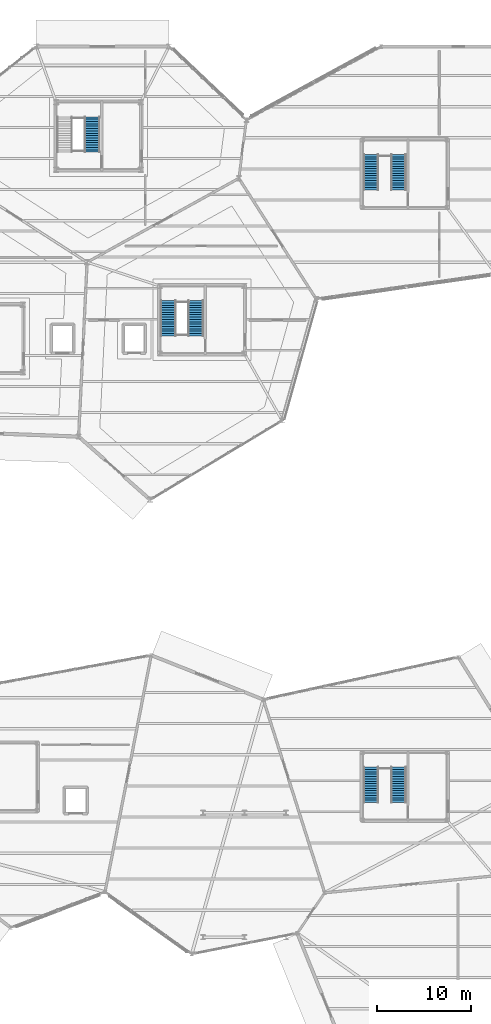
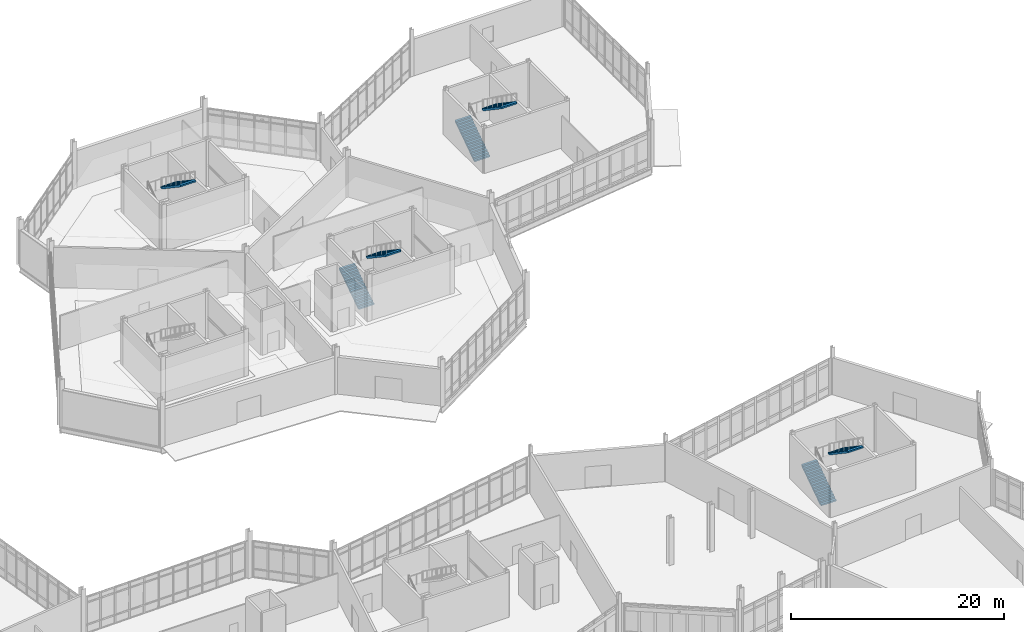
# One storey, part 102 of 113: 7 stair flights, 4 elements without a shape of their own.
"""IFC4 building model written with IfcOpenShell, lengths in metres."""

import ifcopenshell
import ifcopenshell.guid

model = None  # the IFC model being written
_history = None  # IfcOwnerHistory: only IFC2X3 demands one
_inside = {}  # id of a spatial element -> (the spatial element, [elements in it])
_under = {}  # id of a project, library or spatial element -> (it, [spatial elements below it])
_declared = {}  # id of a project -> (the project, [libraries it declares])
_typed = {}  # id of a type object -> (the type object, [elements of that type])
_made_of = {}  # id of a material, layer set ... -> (it, [elements and type objects made of it])


def new_model(schema):
    """Start an empty IFC model of exactly this schema.

    Asked for "IFC4X3", IfcOpenShell would pick the latest addendum, in which some entities
    have other attributes; the version numbers below select the first issue.
    IFC2X3 requires an IfcOwnerHistory on every rooted entity: one is made here for all.
    """
    global model, _history
    if schema == "IFC4X3":
        model = ifcopenshell.file(schema_version=(4, 3, 0, 0))
    else:
        model = ifcopenshell.file(schema=schema)
    _inside.clear()
    _under.clear()
    _declared.clear()
    _typed.clear()
    _made_of.clear()
    _history = None
    if model.schema == "IFC2X3":
        org = make("IfcOrganization", Name="unknown")
        user = make(
            "IfcPersonAndOrganization",
            ThePerson=make("IfcPerson", FamilyName="unknown"),
            TheOrganization=org,
        )
        app = make(
            "IfcApplication",
            ApplicationDeveloper=org,
            Version="unknown",
            ApplicationFullName="unknown",
            ApplicationIdentifier="unknown",
        )
        _history = make(
            "IfcOwnerHistory",
            OwningUser=user,
            OwningApplication=app,
            ChangeAction="ADDED",
            CreationDate=0,
        )
    return model


def make(cls, **values):
    """One entity of the class cls with the attributes given. An attribute that is None is left unset."""
    return model.create_entity(
        cls, **{name: value for name, value in values.items() if value is not None}
    )


def rooted(cls, **values):
    """An entity with a GlobalId (a new one), such as an element, a storey or a relation."""
    return make(cls, GlobalId=ifcopenshell.guid.new(), OwnerHistory=_history, **values)


def si_unit(unit_type, name, prefix=None):
    """IfcSIUnit, for example si_unit("LENGTHUNIT", "METRE", prefix="MILLI")."""
    return make("IfcSIUnit", UnitType=unit_type, Prefix=prefix, Name=name)


def assignment(units):
    """IfcUnitAssignment: the units of a project."""
    return None if units is None else make("IfcUnitAssignment", Units=units)


def point(xyz):
    """IfcCartesianPoint."""
    return None if xyz is None else make("IfcCartesianPoint", Coordinates=xyz)


def direction(xyz):
    """IfcDirection."""
    return None if xyz is None else make("IfcDirection", DirectionRatios=xyz)


def frame(location, z_axis=None, x_axis=None):
    """IfcAxis2Placement3D, a coordinate frame: its origin and axes. An axis left out is left unset."""
    return make(
        "IfcAxis2Placement3D",
        Location=point(location),
        Axis=direction(z_axis),
        RefDirection=direction(x_axis),
    )


def origin():
    """The frame at (0, 0, 0) with its axes left unset."""
    return frame((0.0, 0.0, 0.0))


def place(relative_to, where):
    """IfcLocalPlacement: puts the frame where relative to a parent placement (None: the world)."""
    return make(
        "IfcLocalPlacement", PlacementRelTo=relative_to, RelativePlacement=where
    )


def context(
    kind, dimensions, precision=None, world=None, true_north=None, identifier=None
):
    """IfcGeometricRepresentationContext, for example the 3D "Model" context."""
    return make(
        "IfcGeometricRepresentationContext",
        ContextIdentifier=identifier,
        ContextType=kind,
        CoordinateSpaceDimension=dimensions,
        Precision=precision,
        WorldCoordinateSystem=world,
        TrueNorth=true_north,
    )


def subcontext(parent, identifier, kind, view, scale=None):
    """IfcGeometricRepresentationSubContext, for example "Body" below "Model"."""
    return make(
        "IfcGeometricRepresentationSubContext",
        ContextIdentifier=identifier,
        ContextType=kind,
        ParentContext=parent,
        TargetScale=scale,
        TargetView=view,
    )


def project(units=None, contexts=None):
    """IfcProject with its units and contexts."""
    return rooted(
        "IfcProject",
        Name="project",
        RepresentationContexts=contexts,
        UnitsInContext=assignment(units),
    )


def spatial(cls, under=None, at=None, **own):
    """A site, building, storey or space (cls), placed at a placement, below another one or the project."""
    s = rooted(cls, ObjectPlacement=at, **own)
    if under is not None:
        _under.setdefault(under.id(), (under, []))[1].append(s)
    return s


def polyline(points):
    """IfcPolyline through the points."""
    return make("IfcPolyline", Points=[point(p) for p in points])


def outline(outer, holes=None, kind="AREA"):
    """IfcArbitraryClosedProfileDef: a profile drawn as a closed curve; with holes, ...WithVoids."""
    if holes is None:
        return make("IfcArbitraryClosedProfileDef", ProfileType=kind, OuterCurve=outer)
    return make(
        "IfcArbitraryProfileDefWithVoids",
        ProfileType=kind,
        OuterCurve=outer,
        InnerCurves=holes,
    )


def extrude(swept, where, along, depth):
    """IfcExtrudedAreaSolid: the profile swept, set in the frame where, extruded along a direction by depth."""
    return make(
        "IfcExtrudedAreaSolid",
        SweptArea=swept,
        Position=where,
        ExtrudedDirection=direction(along),
        Depth=depth,
    )


def shape(context_of_items, identifier, shape_type, items):
    """IfcShapeRepresentation: the items that make up one representation, for example the "Body"."""
    return make(
        "IfcShapeRepresentation",
        ContextOfItems=context_of_items,
        RepresentationIdentifier=identifier,
        RepresentationType=shape_type,
        Items=items,
    )


def material(Name=None, Category=None):
    """IfcMaterial."""
    return make("IfcMaterial", Name=Name, Category=Category)


def made_of(thing, what):
    """Note that an element or type object is made of a material, layer set ...; save() writes the relation."""
    if what is not None:
        _made_of.setdefault(what.id(), (what, []))[1].append(thing)
    return thing


def type_object(cls, material=None, **own):
    """A type object (cls), such as IfcWallType, which elements share."""
    return made_of(rooted(cls, **own), material)


def element(
    cls,
    number,
    at=None,
    inside=None,
    cuts=None,
    type_object=None,
    material=None,
    context=None,
    identifier="Body",
    shape_type=None,
    held_by="IfcProductDefinitionShape",
    body=None,
    shapes=None,
    **own,
):
    """One element of the class cls, such as IfcWall. Its Tag is "e" and its number.

    at: its placement. inside: the storey or other place that contains it. cuts: it is an
    opening in that element (IfcRelVoidsElement). A single representation is given by context,
    identifier, shape_type and body (its items); several are given by shapes. held_by: the class
    of the entity that holds the representations. save() writes the other relations.
    """
    e = rooted(cls, Tag="e%d" % number, ObjectPlacement=at, **own)
    if body is not None:
        shapes = [shape(context, identifier, shape_type, body)]
    if shapes is not None:
        e.Representation = make(held_by, Representations=shapes)
    if inside is not None:
        _inside.setdefault(inside.id(), (inside, []))[1].append(e)
    if cuts is not None:
        rooted(
            "IfcRelVoidsElement", RelatingBuildingElement=cuts, RelatedOpeningElement=e
        )
    if type_object is not None:
        _typed.setdefault(type_object.id(), (type_object, []))[1].append(e)
    return made_of(e, material)


def aggregate(whole, parts):
    """IfcRelAggregates: a whole, such as a stair, and the parts it consists of."""
    return rooted("IfcRelAggregates", RelatingObject=whole, RelatedObjects=parts)


def save(model, path):
    """Write the relations noted so far, then the file.

    IfcRelAggregates (storeys below a building ...), IfcRelContainedInSpatialStructure (elements
    in a storey), IfcRelDefinesByType, IfcRelAssociatesMaterial and IfcRelDeclares: one each for
    every whole, place, type object, material and project.
    """
    for whole, parts in _under.values():
        aggregate(whole, parts)
    for where, things in _inside.values():
        rooted(
            "IfcRelContainedInSpatialStructure",
            RelatedElements=things,
            RelatingStructure=where,
        )
    for kind, things in _typed.values():
        rooted("IfcRelDefinesByType", RelatedObjects=things, RelatingType=kind)
    for what, things in _made_of.values():
        rooted("IfcRelAssociatesMaterial", RelatedObjects=things, RelatingMaterial=what)
    for by, libraries in _declared.values():
        rooted("IfcRelDeclares", RelatingContext=by, RelatedDefinitions=libraries)
    model.write(path)


model = new_model("IFC4")

# Units and contexts
model_context = context("Model", 3, precision=1e-05, world=origin(), true_north=direction((0.0, 1.0)))
body_context = subcontext(model_context, "Body", "Model", "MODEL_VIEW")
ifc_project = project(units=[si_unit("LENGTHUNIT", "METRE"), si_unit("AREAUNIT", "SQUARE_METRE"), si_unit("VOLUMEUNIT", "CUBIC_METRE"), si_unit("PLANEANGLEUNIT", "RADIAN"), si_unit("MASSUNIT", "GRAM", prefix="KILO")], contexts=[model_context])

# Site, building, storey
site_placement = place(None, origin())
site = spatial("IfcSite", under=ifc_project, at=site_placement, CompositionType="ELEMENT")
building_placement = place(site_placement, origin())
building = spatial("IfcBuilding", under=site, at=building_placement, Name="Tameran Prism Museum", CompositionType="ELEMENT")
storey_placement = place(building_placement, origin())
storey = spatial("IfcBuildingStorey", under=building, at=storey_placement, Name="L00", CompositionType="ELEMENT", Elevation=0.0)

# Stair, stair flights
ifc_material_1 = material(Name="Concrete N40 (40 MPa)", Category="concrete")
stair_type = type_object("IfcStairType", Name="ST-CORE-54", PredefinedType="HALF_TURN_STAIR", material=ifc_material_1)
stair_1_placement = place(storey_placement, origin())
stair_1 = element("IfcStair", 1, at=stair_1_placement, inside=storey, type_object=stair_type, Name="Fire-Isolated Stair ST-02-L00", PredefinedType="HALF_TURN_STAIR")
ifc_material_2 = material(Name="Concrete N40 (40 MPa)", Category="concrete")
stair_flight_type = type_object("IfcStairFlightType", Name="SF-RC-165", PredefinedType="STRAIGHT", material=ifc_material_2)
stair_flight_1_placement = place(storey_placement, frame((127.4150390625, 81.280029296875, 0.0), z_axis=(0.0, 0.0, 1.0), x_axis=(0.0, 1.0, 0.0)))
stair_flight_1 = element("IfcStairFlight", 2, at=stair_flight_1_placement, type_object=stair_flight_type, Name="ST-02-L00 flight 1", NumberOfRisers=16, NumberOfTreads=15, PredefinedType="STRAIGHT", RiserHeight=0.16875, TreadLength=0.25, context=body_context, shape_type="SweptSolid", body=[
    extrude(outline(polyline([(0.0, 0.0), (0.0, 0.168701171875), (0.25, 0.168701171875), (0.25, 0.33740234375), (0.5, 0.33740234375), (0.5, 0.50634765625), (0.75, 0.50634765625), (0.75, 0.675048828125), (1.0, 0.675048828125), (1.0, 0.84375), (1.25, 0.84375), (1.25, 1.012451171875), (1.5, 1.012451171875), (1.5, 1.18115234375), (1.75, 1.18115234375), (1.75, 1.35009765625), (2.0, 1.35009765625), (2.0, 1.518798828125), (2.25, 1.518798828125), (2.25, 1.6875), (2.5, 1.6875), (2.5, 1.856201171875), (2.75, 1.856201171875), (2.75, 2.02490234375), (3.0, 2.02490234375), (3.0, 2.19384765625), (3.25, 2.19384765625), (3.25, 2.362548828125), (3.5, 2.362548828125), (3.5, 2.53125), (3.75, 2.53125), (3.75, 2.699951171875), (3.75, 2.350341796875), (0.267822265625, 0.0), (0.0, 0.0)])), frame((0.0, 0.824951171875, 0.0), z_axis=(0.0, -1.0, 0.0), x_axis=(1.0, 0.0, 0.0)), (0.0, 0.0, 1.0), 1.64990234375),
])
stair_flight_2_placement = place(storey_placement, frame((130.3349609375, 85.030029296875, 2.699951171875), z_axis=(0.0, 0.0, 1.0), x_axis=(0.0, -1.0, 0.0)))
stair_flight_2 = element("IfcStairFlight", 3, at=stair_flight_2_placement, type_object=stair_flight_type, Name="ST-02-L00 flight 2", NumberOfRisers=16, NumberOfTreads=15, PredefinedType="STRAIGHT", RiserHeight=0.16875, TreadLength=0.25, context=body_context, shape_type="SweptSolid", body=[
    extrude(outline(polyline([(0.0, 0.0), (0.0, 0.168701171875), (0.25, 0.168701171875), (0.25, 0.33740234375), (0.5, 0.33740234375), (0.5, 0.50634765625), (0.75, 0.50634765625), (0.75, 0.675048828125), (1.0, 0.675048828125), (1.0, 0.84375), (1.25, 0.84375), (1.25, 1.012451171875), (1.5, 1.012451171875), (1.5, 1.18115234375), (1.75, 1.18115234375), (1.75, 1.35009765625), (2.0, 1.35009765625), (2.0, 1.518798828125), (2.25, 1.518798828125), (2.25, 1.6875), (2.5, 1.6875), (2.5, 1.856201171875), (2.75, 1.856201171875), (2.75, 2.02490234375), (3.0, 2.02490234375), (3.0, 2.19384765625), (3.25, 2.19384765625), (3.25, 2.362548828125), (3.5, 2.362548828125), (3.5, 2.53125), (3.75, 2.53125), (3.75, 2.699951171875), (3.75, 2.350341796875), (0.267822265625, 0.0), (0.0, 0.0)])), frame((0.0, 0.824951171875, 0.0), z_axis=(0.0, -1.0, 0.0), x_axis=(1.0, 0.0, 0.0)), (0.0, 0.0, 1.0), 1.64990234375),
])
aggregate(stair_1, [stair_flight_1, stair_flight_2])

# Stair, stair flight
stair_2_placement = place(storey_placement, origin())
stair_2 = element("IfcStair", 4, at=stair_2_placement, inside=storey, type_object=stair_type, Name="Fire-Isolated Stair ST-07-L00", PredefinedType="HALF_TURN_STAIR")
stair_flight_3_placement = place(storey_placement, frame((119.3349609375, 104.530029296875, 2.699951171875), z_axis=(0.0, 0.0, 1.0), x_axis=(0.0, -1.0, 0.0)))
stair_flight_3 = element("IfcStairFlight", 5, at=stair_flight_3_placement, type_object=stair_flight_type, Name="ST-07-L00 flight 2", NumberOfRisers=16, NumberOfTreads=15, PredefinedType="STRAIGHT", RiserHeight=0.16875, TreadLength=0.25, context=body_context, shape_type="SweptSolid", body=[
    extrude(outline(polyline([(0.0, 0.0), (0.0, 0.168701171875), (0.25, 0.168701171875), (0.25, 0.33740234375), (0.5, 0.33740234375), (0.5, 0.50634765625), (0.75, 0.50634765625), (0.75, 0.675048828125), (1.0, 0.675048828125), (1.0, 0.84375), (1.25, 0.84375), (1.25, 1.012451171875), (1.5, 1.012451171875), (1.5, 1.18115234375), (1.75, 1.18115234375), (1.75, 1.35009765625), (2.0, 1.35009765625), (2.0, 1.518798828125), (2.25, 1.518798828125), (2.25, 1.6875), (2.5, 1.6875), (2.5, 1.856201171875), (2.75, 1.856201171875), (2.75, 2.02490234375), (3.0, 2.02490234375), (3.0, 2.19384765625), (3.25, 2.19384765625), (3.25, 2.362548828125), (3.5, 2.362548828125), (3.5, 2.53125), (3.75, 2.53125), (3.75, 2.699951171875), (3.75, 2.350341796875), (0.267822265625, 0.0), (0.0, 0.0)])), frame((0.0, 0.824951171875, 0.0), z_axis=(0.0, -1.0, 0.0), x_axis=(1.0, 0.0, 0.0)), (0.0, 0.0, 1.0), 1.64990234375),
])
aggregate(stair_2, [stair_flight_3])

# Stair, stair flights
stair_3_placement = place(storey_placement, origin())
stair_3 = element("IfcStair", 6, at=stair_3_placement, inside=storey, type_object=stair_type, Name="Fire-Isolated Stair ST-11-L00", PredefinedType="HALF_TURN_STAIR")
stair_flight_4_placement = place(storey_placement, frame((148.9150390625, 96.780029296875, 0.0), z_axis=(0.0, 0.0, 1.0), x_axis=(0.0, 1.0, 0.0)))
stair_flight_4 = element("IfcStairFlight", 7, at=stair_flight_4_placement, type_object=stair_flight_type, Name="ST-11-L00 flight 1", NumberOfRisers=16, NumberOfTreads=15, PredefinedType="STRAIGHT", RiserHeight=0.16875, TreadLength=0.25, context=body_context, shape_type="SweptSolid", body=[
    extrude(outline(polyline([(0.0, 0.0), (0.0, 0.168701171875), (0.25, 0.168701171875), (0.25, 0.33740234375), (0.5, 0.33740234375), (0.5, 0.50634765625), (0.75, 0.50634765625), (0.75, 0.675048828125), (1.0, 0.675048828125), (1.0, 0.84375), (1.25, 0.84375), (1.25, 1.012451171875), (1.5, 1.012451171875), (1.5, 1.18115234375), (1.75, 1.18115234375), (1.75, 1.35009765625), (2.0, 1.35009765625), (2.0, 1.518798828125), (2.25, 1.518798828125), (2.25, 1.6875), (2.5, 1.6875), (2.5, 1.856201171875), (2.75, 1.856201171875), (2.75, 2.02490234375), (3.0, 2.02490234375), (3.0, 2.19384765625), (3.25, 2.19384765625), (3.25, 2.362548828125), (3.5, 2.362548828125), (3.5, 2.53125), (3.75, 2.53125), (3.75, 2.699951171875), (3.75, 2.350341796875), (0.267822265625, 0.0), (0.0, 0.0)])), frame((0.0, 0.824951171875, 0.0), z_axis=(0.0, -1.0, 0.0), x_axis=(1.0, 0.0, 0.0)), (0.0, 0.0, 1.0), 1.64990234375),
])
stair_flight_5_placement = place(storey_placement, frame((151.8349609375, 100.530029296875, 2.699951171875), z_axis=(0.0, 0.0, 1.0), x_axis=(0.0, -1.0, 0.0)))
stair_flight_5 = element("IfcStairFlight", 8, at=stair_flight_5_placement, type_object=stair_flight_type, Name="ST-11-L00 flight 2", NumberOfRisers=16, NumberOfTreads=15, PredefinedType="STRAIGHT", RiserHeight=0.16875, TreadLength=0.25, context=body_context, shape_type="SweptSolid", body=[
    extrude(outline(polyline([(0.0, 0.0), (0.0, 0.168701171875), (0.25, 0.168701171875), (0.25, 0.33740234375), (0.5, 0.33740234375), (0.5, 0.50634765625), (0.75, 0.50634765625), (0.75, 0.675048828125), (1.0, 0.675048828125), (1.0, 0.84375), (1.25, 0.84375), (1.25, 1.012451171875), (1.5, 1.012451171875), (1.5, 1.18115234375), (1.75, 1.18115234375), (1.75, 1.35009765625), (2.0, 1.35009765625), (2.0, 1.518798828125), (2.25, 1.518798828125), (2.25, 1.6875), (2.5, 1.6875), (2.5, 1.856201171875), (2.75, 1.856201171875), (2.75, 2.02490234375), (3.0, 2.02490234375), (3.0, 2.19384765625), (3.25, 2.19384765625), (3.25, 2.362548828125), (3.5, 2.362548828125), (3.5, 2.53125), (3.75, 2.53125), (3.75, 2.699951171875), (3.75, 2.350341796875), (0.267822265625, 0.0), (0.0, 0.0)])), frame((0.0, 0.824951171875, 0.0), z_axis=(0.0, -1.0, 0.0), x_axis=(1.0, 0.0, 0.0)), (0.0, 0.0, 1.0), 1.64990234375),
])
aggregate(stair_3, [stair_flight_4, stair_flight_5])

stair_4_placement = place(storey_placement, origin())
stair_4 = element("IfcStair", 9, at=stair_4_placement, inside=storey, type_object=stair_type, Name="Fire-Isolated Stair ST-13-L00", PredefinedType="HALF_TURN_STAIR")
stair_flight_6_placement = place(storey_placement, frame((148.9150390625, 31.780029296875, 0.0), z_axis=(0.0, 0.0, 1.0), x_axis=(0.0, 1.0, 0.0)))
stair_flight_6 = element("IfcStairFlight", 10, at=stair_flight_6_placement, type_object=stair_flight_type, Name="ST-13-L00 flight 1", NumberOfRisers=16, NumberOfTreads=15, PredefinedType="STRAIGHT", RiserHeight=0.16875, TreadLength=0.25, context=body_context, shape_type="SweptSolid", body=[
    extrude(outline(polyline([(0.0, 0.0), (0.0, 0.168701171875), (0.25, 0.168701171875), (0.25, 0.33740234375), (0.5, 0.33740234375), (0.5, 0.50634765625), (0.75, 0.50634765625), (0.75, 0.675048828125), (1.0, 0.675048828125), (1.0, 0.84375), (1.25, 0.84375), (1.25, 1.012451171875), (1.5, 1.012451171875), (1.5, 1.18115234375), (1.75, 1.18115234375), (1.75, 1.35009765625), (2.0, 1.35009765625), (2.0, 1.518798828125), (2.25, 1.518798828125), (2.25, 1.6875), (2.5, 1.6875), (2.5, 1.856201171875), (2.75, 1.856201171875), (2.75, 2.02490234375), (3.0, 2.02490234375), (3.0, 2.19384765625), (3.25, 2.19384765625), (3.25, 2.362548828125), (3.5, 2.362548828125), (3.5, 2.53125), (3.75, 2.53125), (3.75, 2.699951171875), (3.75, 2.350341796875), (0.267822265625, 0.0), (0.0, 0.0)])), frame((0.0, 0.824951171875, 0.0), z_axis=(0.0, -1.0, 0.0), x_axis=(1.0, 0.0, 0.0)), (0.0, 0.0, 1.0), 1.64990234375),
])
stair_flight_7_placement = place(storey_placement, frame((151.8349609375, 35.530029296875, 2.699951171875), z_axis=(0.0, 0.0, 1.0), x_axis=(0.0, -1.0, 0.0)))
stair_flight_7 = element("IfcStairFlight", 11, at=stair_flight_7_placement, type_object=stair_flight_type, Name="ST-13-L00 flight 2", NumberOfRisers=16, NumberOfTreads=15, PredefinedType="STRAIGHT", RiserHeight=0.16875, TreadLength=0.25, context=body_context, shape_type="SweptSolid", body=[
    extrude(outline(polyline([(0.0, 0.0), (0.0, 0.168701171875), (0.25, 0.168701171875), (0.25, 0.33740234375), (0.5, 0.33740234375), (0.5, 0.50634765625), (0.75, 0.50634765625), (0.75, 0.675048828125), (1.0, 0.675048828125), (1.0, 0.84375), (1.25, 0.84375), (1.25, 1.012451171875), (1.5, 1.012451171875), (1.5, 1.18115234375), (1.75, 1.18115234375), (1.75, 1.35009765625), (2.0, 1.35009765625), (2.0, 1.518798828125), (2.25, 1.518798828125), (2.25, 1.6875), (2.5, 1.6875), (2.5, 1.856201171875), (2.75, 1.856201171875), (2.75, 2.02490234375), (3.0, 2.02490234375), (3.0, 2.19384765625), (3.25, 2.19384765625), (3.25, 2.362548828125), (3.5, 2.362548828125), (3.5, 2.53125), (3.75, 2.53125), (3.75, 2.699951171875), (3.75, 2.350341796875), (0.267822265625, 0.0), (0.0, 0.0)])), frame((0.0, 0.824951171875, 0.0), z_axis=(0.0, -1.0, 0.0), x_axis=(1.0, 0.0, 0.0)), (0.0, 0.0, 1.0), 1.64990234375),
])
aggregate(stair_4, [stair_flight_6, stair_flight_7])

save(model, "model.ifc")
